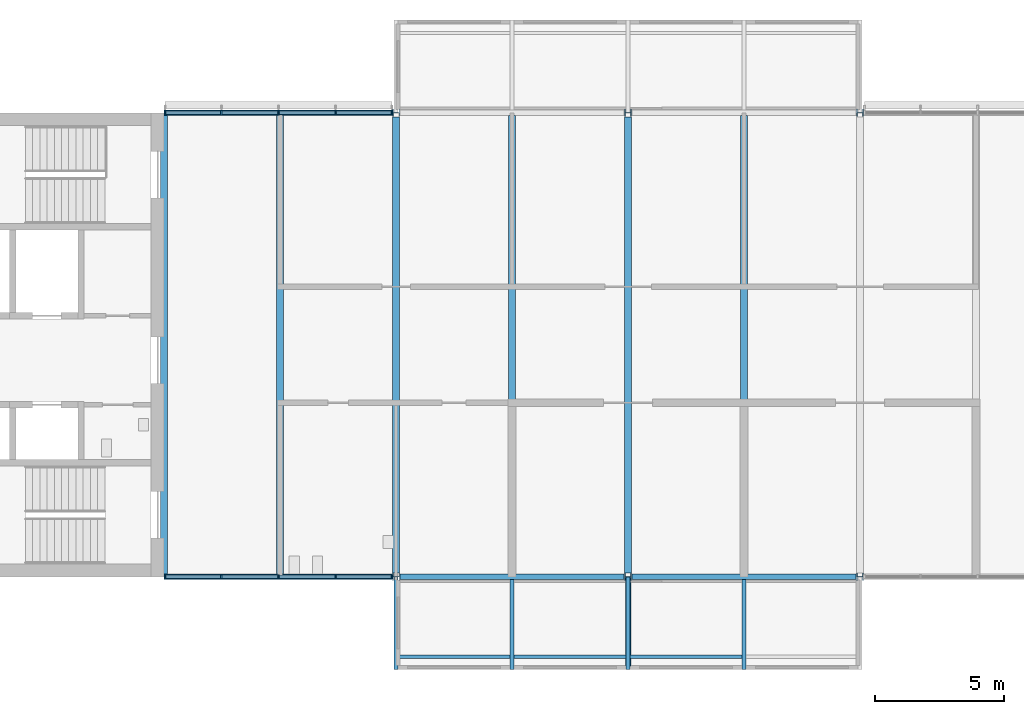
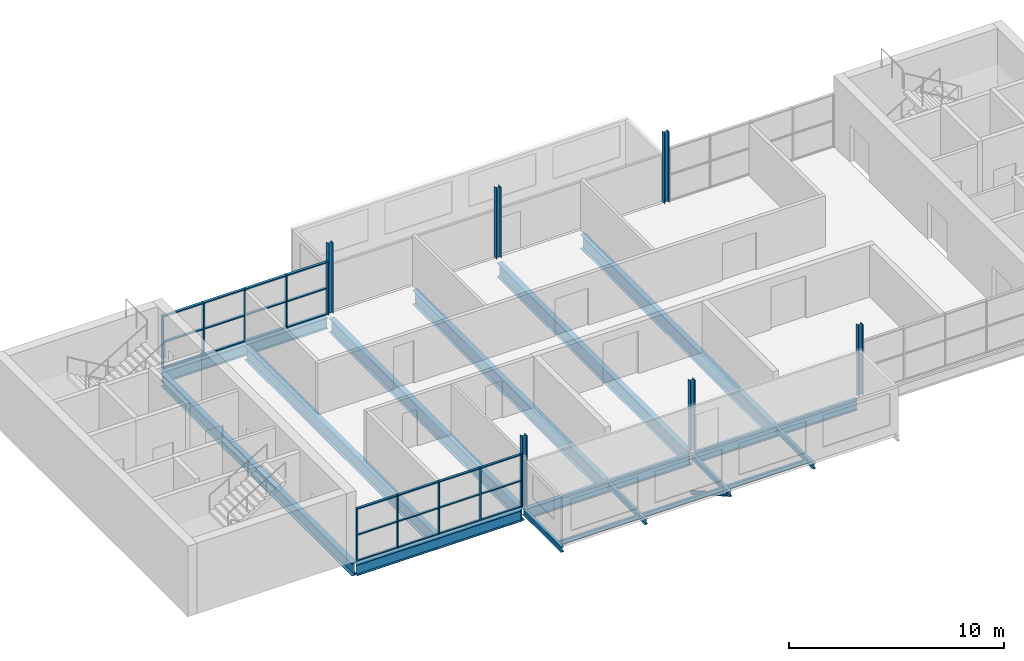
# One storey, part 1 of 10: 35 members, 17 beams, 6 columns, 2 elements without a shape of their own.
"""IFC4 building model written with IfcOpenShell, lengths in metres."""

from ifc_helpers import new_model, si_unit, direction, frame, origin, origin_2d, place, context, subcontext, project, spatial, rectangle, hollow_circle, i_section, extrude, material, layer, layer_set, material_profile, profile_set, type_object, element, aggregate, save


model = new_model("IFC4")

# Units and contexts
model_context = context("Model", 3, precision=1e-05, world=origin(), true_north=direction((0.0, 1.0)))
body_context = subcontext(model_context, "Body", "Model", "MODEL_VIEW")
ifc_project = project(units=[si_unit("LENGTHUNIT", "METRE"), si_unit("AREAUNIT", "SQUARE_METRE"), si_unit("VOLUMEUNIT", "CUBIC_METRE"), si_unit("PLANEANGLEUNIT", "RADIAN"), si_unit("MASSUNIT", "GRAM", prefix="KILO")], contexts=[model_context])

# Site, building, storey
site_placement = place(None, origin())
site = spatial("IfcSite", under=ifc_project, at=site_placement, CompositionType="ELEMENT")
building_placement = place(site_placement, origin())
building = spatial("IfcBuilding", under=site, at=building_placement, Name="Corbel Yard City Hall", CompositionType="ELEMENT")
storey_placement = place(building_placement, frame((0.0, 0.0, 67.199951171875)))
storey = spatial("IfcBuildingStorey", under=building, at=storey_placement, Name="L16", CompositionType="ELEMENT", Elevation=67.199951171875)

# Columns
ifc_material_1 = material(Name="Steel Grade 300 (300 MPa yield)", Category="steel")
ifc_material_profile_1 = material_profile(ifc_material_1, i_section(OverallWidth=0.256103515625, OverallDepth=0.260009765625, WebThickness=0.010498046875, FlangeThickness=0.017333984375, at=origin_2d()), Name="250UC89.5")
ifc_profile_set_1 = profile_set([ifc_material_profile_1], Name="Steel Grade 300 (300 MPa yield)")
column_type = type_object("IfcColumnType", Name="Column 250UC89.5", PredefinedType="COLUMN", material=ifc_profile_set_1)
for number, where, z_axis, x_axis, name in (
    (1, (18.0, 99.0, 0.0), (0.0, 0.0, 1.0), (0.0, 1.0, 0.0), "Column 250UC89.5 L/3 L16"),
    (2, (18.0, 117.0, 0.0), (0.0, 0.0, 1.0), (0.0, 1.0, 0.0), "Column 250UC89.5 N/3 L16"),
    (3, (27.0, 99.0, 0.0), (0.0, 0.0, 1.0), (0.0, 1.0, 0.0), "Column 250UC89.5 L/4 L16"),
    (4, (27.0, 117.0, 0.0), (0.0, 0.0, 1.0), (0.0, 1.0, 0.0), "Column 250UC89.5 N/4 L16"),
    (5, (36.0, 99.0, 0.0), (0.0, 0.0, 1.0), (0.0, 1.0, 0.0), "Column 250UC89.5 L/5 L16"),
    (6, (36.0, 117.0, 0.0), (0.0, 0.0, 1.0), (0.0, 1.0, 0.0), "Column 250UC89.5 N/5 L16"),
):
    element("IfcColumn", number, at=place(storey_placement, frame(where, z_axis=z_axis, x_axis=x_axis)), inside=storey, type_object=column_type, Name=name, PredefinedType="COLUMN", context=body_context, shape_type="SweptSolid", body=[
        extrude(i_section(OverallWidth=0.256103515625, OverallDepth=0.260009765625, WebThickness=0.010498046875, FlangeThickness=0.017333984375, at=origin_2d()), origin(), (0.0, 0.0, 1.0), 4.0),
    ])

# Beams
ifc_material_profile_2 = material_profile(ifc_material_1, i_section(OverallWidth=0.22900390625, OverallDepth=0.612060546875, WebThickness=0.011962890625, FlangeThickness=0.01953125, at=origin_2d()), Name="610UB125")
ifc_profile_set_2 = profile_set([ifc_material_profile_2], Name="Steel Grade 300 (300 MPa yield)")
beam_type_1 = type_object("IfcBeamType", Name="Edge beam 610UB125", PredefinedType="BEAM", material=ifc_profile_set_2)
beam_1_placement = place(storey_placement, frame((9.0, 99.0, -0.4560546875), z_axis=(1.0, 0.0, 0.0), x_axis=(0.0, 1.0, 0.0)))
element("IfcBeam", 7, at=beam_1_placement, inside=storey, type_object=beam_type_1, Name="Edge beam 610UB125 EB7 L16tower", PredefinedType="BEAM", context=body_context, shape_type="SweptSolid", body=[
    extrude(i_section(OverallWidth=0.22900390625, OverallDepth=0.612060546875, WebThickness=0.011962890625, FlangeThickness=0.01953125, at=origin_2d()), origin(), (0.0, 0.0, 1.0), 8.842529296875),
])
for number, where, z_axis, x_axis, name in (
    (8, (18.157470703125, 99.0, -0.4560546875), (1.0, 0.0, 0.0), (0.0, 1.0, 0.0), "Edge beam 610UB125 EB7 L16tower"),
    (9, (27.157470703125, 99.0, -0.4560546875), (1.0, 0.0, 0.0), (0.0, 1.0, 0.0), "Edge beam 610UB125 EB7 L16tower"),
):
    element("IfcBeam", number, at=place(storey_placement, frame(where, z_axis=z_axis, x_axis=x_axis)), inside=storey, type_object=beam_type_1, Name=name, PredefinedType="BEAM", context=body_context, shape_type="SweptSolid", body=[
        extrude(i_section(OverallWidth=0.22900390625, OverallDepth=0.612060546875, WebThickness=0.011962890625, FlangeThickness=0.01953125, at=origin_2d()), origin(), (0.0, 0.0, 1.0), 8.68505859375),
    ])
beam_2_placement = place(storey_placement, frame((9.0, 117.0, -0.4560546875), z_axis=(1.0, 0.0, 0.0), x_axis=(0.0, 1.0, 0.0)))
element("IfcBeam", 10, at=beam_2_placement, inside=storey, type_object=beam_type_1, Name="Edge beam 610UB125 EB7 L16tower", PredefinedType="BEAM", context=body_context, shape_type="SweptSolid", body=[
    extrude(i_section(OverallWidth=0.22900390625, OverallDepth=0.612060546875, WebThickness=0.011962890625, FlangeThickness=0.01953125, at=origin_2d()), origin(), (0.0, 0.0, 1.0), 8.842529296875),
])
ifc_material_2 = material(Name="Steel Grade 350", Category="steel")
ifc_material_profile_3 = material_profile(ifc_material_2, i_section(OverallWidth=0.27490234375, OverallDepth=0.800048828125, WebThickness=0.010009765625, FlangeThickness=0.02001953125, at=origin_2d()), Name="800WB146")
ifc_profile_set_3 = profile_set([ifc_material_profile_3], Name="Steel Grade 350")
beam_type_2 = type_object("IfcBeamType", Name="Long-span beam 800WB146", PredefinedType="BEAM", material=ifc_profile_set_3)
for number, where, z_axis, x_axis, name in (
    (11, (18.0, 99.153564453125, -0.550048828125), (0.0, 1.0, 0.0), (-1.0, 0.0, 0.0), "Long-span beam 800WB146 SB8 L16tower"),
    (12, (27.0, 99.153564453125, -0.550048828125), (0.0, 1.0, 0.0), (-1.0, 0.0, 0.0), "Long-span beam 800WB146 SB8 L16tower"),
):
    element("IfcBeam", number, at=place(storey_placement, frame(where, z_axis=z_axis, x_axis=x_axis)), inside=storey, type_object=beam_type_2, Name=name, PredefinedType="BEAM", context=body_context, shape_type="SweptSolid", body=[
        extrude(i_section(OverallWidth=0.27490234375, OverallDepth=0.800048828125, WebThickness=0.010009765625, FlangeThickness=0.02001953125, at=origin_2d()), origin(), (0.0, 0.0, 1.0), 17.69287109375),
    ])
ifc_material_profile_4 = material_profile(ifc_material_2, i_section(OverallWidth=0.27490234375, OverallDepth=0.716064453125, WebThickness=0.010009765625, FlangeThickness=0.028076171875, at=origin_2d()), Name="700WB173")
ifc_profile_set_4 = profile_set([ifc_material_profile_4], Name="Steel Grade 350")
beam_type_3 = type_object("IfcBeamType", Name="Long-span edge beam 700WB173", PredefinedType="BEAM", material=ifc_profile_set_4)
beam_3_placement = place(storey_placement, frame((9.0, 99.114501953125, -0.508056640625), z_axis=(0.0, 1.0, 0.0), x_axis=(-1.0, 0.0, 0.0)))
element("IfcBeam", 13, at=beam_3_placement, inside=storey, type_object=beam_type_3, Name="Long-span edge beam 700WB173 EB10 L16tower", PredefinedType="BEAM", context=body_context, shape_type="SweptSolid", body=[
    extrude(i_section(OverallWidth=0.27490234375, OverallDepth=0.716064453125, WebThickness=0.010009765625, FlangeThickness=0.028076171875, at=origin_2d()), origin(), (0.0, 0.0, 1.0), 17.77099609375),
])
ifc_material_profile_5 = material_profile(ifc_material_2, i_section(OverallWidth=0.27490234375, OverallDepth=0.800048828125, WebThickness=0.010009765625, FlangeThickness=0.02001953125, at=origin_2d()), Name="800WB146")
ifc_profile_set_5 = profile_set([ifc_material_profile_5], Name="Steel Grade 350")
beam_type_4 = type_object("IfcBeamType", Name="Long-span secondary beam 800WB146", PredefinedType="JOIST", material=ifc_profile_set_5)
for number, where, z_axis, x_axis, name in (
    (14, (13.5, 99.114501953125, -0.550048828125), (0.0, 1.0, 0.0), (-1.0, 0.0, 0.0), "Long-span secondary beam 800WB146 SB7 L16tower"),
    (15, (22.5, 99.114501953125, -0.550048828125), (0.0, 1.0, 0.0), (-1.0, 0.0, 0.0), "Long-span secondary beam 800WB146 SB7 L16tower"),
    (16, (31.5, 99.114501953125, -0.550048828125), (0.0, 1.0, 0.0), (-1.0, 0.0, 0.0), "Long-span secondary beam 800WB146 SB7 L16tower"),
):
    element("IfcBeam", number, at=place(storey_placement, frame(where, z_axis=z_axis, x_axis=x_axis)), inside=storey, type_object=beam_type_4, Name=name, PredefinedType="JOIST", context=body_context, shape_type="SweptSolid", body=[
        extrude(i_section(OverallWidth=0.27490234375, OverallDepth=0.800048828125, WebThickness=0.010009765625, FlangeThickness=0.02001953125, at=origin_2d()), origin(), (0.0, 0.0, 1.0), 17.77099609375),
    ])

# Curtain wall, members
ifc_material_3 = material(Name="Aluminium extrusion", Category="aluminium")
ifc_layer_1 = layer(ifc_material_3, 0.14990234375)
ifc_layer_set_1 = layer_set([ifc_layer_1], Name="Aluminium extrusion")
curtain_wall_type_1 = type_object("IfcCurtainWallType", Name="CW2", PredefinedType="USERDEFINED", material=ifc_layer_set_1)
curtain_wall_1_placement = place(storey_placement, origin())
curtain_wall_1 = element("IfcCurtainWall", 17, at=curtain_wall_1_placement, inside=storey, type_object=curtain_wall_type_1, Name="Curtain wall CW2 L16", ObjectType="CURTAIN WALL", PredefinedType="USERDEFINED")
ifc_material_profile_6 = material_profile(ifc_material_3, rectangle(XDim=0.14990234375, YDim=0.06494140625, at=origin_2d()), Name="150x65")
ifc_profile_set_6 = profile_set([ifc_material_profile_6], Name="Aluminium extrusion")
member_type_1 = type_object("IfcMemberType", Name="ML2", PredefinedType="MULLION", material=ifc_profile_set_6)
member_1_placement = place(storey_placement, frame((9.032470703125, 99.0, 0.0), z_axis=(0.0, 0.0, 1.0), x_axis=(0.0, 1.0, 0.0)))
member_1 = element("IfcMember", 18, at=member_1_placement, type_object=member_type_1, Name="CW2 mullion 1", PredefinedType="MULLION", context=body_context, shape_type="SweptSolid", body=[
    extrude(rectangle(XDim=0.14990234375, YDim=0.06494140625, at=origin_2d()), origin(), (0.0, 0.0, 1.0), 3.0),
])
member_2_placement = place(storey_placement, frame((11.217529296875, 99.0, 0.0), z_axis=(0.0, 0.0, 1.0), x_axis=(0.0, 1.0, 0.0)))
member_2 = element("IfcMember", 19, at=member_2_placement, type_object=member_type_1, Name="CW2 mullion 2", PredefinedType="MULLION", context=body_context, shape_type="SweptSolid", body=[
    extrude(rectangle(XDim=0.14990234375, YDim=0.06494140625, at=origin_2d()), origin(), (0.0, 0.0, 1.0), 3.0),
])
member_3_placement = place(storey_placement, frame((13.43505859375, 99.0, 0.0), z_axis=(0.0, 0.0, 1.0), x_axis=(0.0, 1.0, 0.0)))
member_3 = element("IfcMember", 20, at=member_3_placement, type_object=member_type_1, Name="CW2 mullion 3", PredefinedType="MULLION", context=body_context, shape_type="SweptSolid", body=[
    extrude(rectangle(XDim=0.14990234375, YDim=0.06494140625, at=origin_2d()), origin(), (0.0, 0.0, 1.0), 3.0),
])
member_4_placement = place(storey_placement, frame((15.652587890625, 99.0, 0.0), z_axis=(0.0, 0.0, 1.0), x_axis=(0.0, 1.0, 0.0)))
member_4 = element("IfcMember", 21, at=member_4_placement, type_object=member_type_1, Name="CW2 mullion 4", PredefinedType="MULLION", context=body_context, shape_type="SweptSolid", body=[
    extrude(rectangle(XDim=0.14990234375, YDim=0.06494140625, at=origin_2d()), origin(), (0.0, 0.0, 1.0), 3.0),
])
member_5_placement = place(storey_placement, frame((17.83740234375, 99.0, 0.0), z_axis=(0.0, 0.0, 1.0), x_axis=(0.0, 1.0, 0.0)))
member_5 = element("IfcMember", 22, at=member_5_placement, type_object=member_type_1, Name="CW2 mullion 5", PredefinedType="MULLION", context=body_context, shape_type="SweptSolid", body=[
    extrude(rectangle(XDim=0.14990234375, YDim=0.06494140625, at=origin_2d()), origin(), (0.0, 0.0, 1.0), 3.0),
])

ifc_layer_2 = layer(ifc_material_3, 0.179931640625)
ifc_layer_set_2 = layer_set([ifc_layer_2], Name="Aluminium extrusion")
curtain_wall_type_2 = type_object("IfcCurtainWallType", Name="CW6", PredefinedType="USERDEFINED", material=ifc_layer_set_2)
curtain_wall_2_placement = place(storey_placement, origin())
curtain_wall_2 = element("IfcCurtainWall", 23, at=curtain_wall_2_placement, inside=storey, type_object=curtain_wall_type_2, Name="Curtain wall CW6 L16", ObjectType="CURTAIN WALL", PredefinedType="USERDEFINED")
ifc_material_profile_7 = material_profile(ifc_material_3, rectangle(XDim=0.179931640625, YDim=0.06494140625, at=origin_2d()), Name="180x65")
ifc_profile_set_7 = profile_set([ifc_material_profile_7], Name="Aluminium extrusion")
member_type_2 = type_object("IfcMemberType", Name="ML6", PredefinedType="MULLION", material=ifc_profile_set_7)
member_6_placement = place(storey_placement, frame((9.032470703125, 117.0, 0.0), z_axis=(0.0, 0.0, 1.0), x_axis=(0.0, 1.0, 0.0)))
member_6 = element("IfcMember", 24, at=member_6_placement, type_object=member_type_2, Name="CW6 mullion 1", PredefinedType="MULLION", context=body_context, shape_type="SweptSolid", body=[
    extrude(rectangle(XDim=0.179931640625, YDim=0.06494140625, at=origin_2d()), origin(), (0.0, 0.0, 1.0), 3.0),
])
member_7_placement = place(storey_placement, frame((11.217529296875, 117.0, 0.0), z_axis=(0.0, 0.0, 1.0), x_axis=(0.0, 1.0, 0.0)))
member_7 = element("IfcMember", 25, at=member_7_placement, type_object=member_type_2, Name="CW6 mullion 2", PredefinedType="MULLION", context=body_context, shape_type="SweptSolid", body=[
    extrude(rectangle(XDim=0.179931640625, YDim=0.06494140625, at=origin_2d()), origin(), (0.0, 0.0, 1.0), 3.0),
])
member_8_placement = place(storey_placement, frame((13.43505859375, 117.0, 0.0), z_axis=(0.0, 0.0, 1.0), x_axis=(0.0, 1.0, 0.0)))
member_8 = element("IfcMember", 26, at=member_8_placement, type_object=member_type_2, Name="CW6 mullion 3", PredefinedType="MULLION", context=body_context, shape_type="SweptSolid", body=[
    extrude(rectangle(XDim=0.179931640625, YDim=0.06494140625, at=origin_2d()), origin(), (0.0, 0.0, 1.0), 3.0),
])
member_9_placement = place(storey_placement, frame((15.652587890625, 117.0, 0.0), z_axis=(0.0, 0.0, 1.0), x_axis=(0.0, 1.0, 0.0)))
member_9 = element("IfcMember", 27, at=member_9_placement, type_object=member_type_2, Name="CW6 mullion 4", PredefinedType="MULLION", context=body_context, shape_type="SweptSolid", body=[
    extrude(rectangle(XDim=0.179931640625, YDim=0.06494140625, at=origin_2d()), origin(), (0.0, 0.0, 1.0), 3.0),
])
member_10_placement = place(storey_placement, frame((17.83740234375, 117.0, 0.0), z_axis=(0.0, 0.0, 1.0), x_axis=(0.0, 1.0, 0.0)))
member_10 = element("IfcMember", 28, at=member_10_placement, type_object=member_type_2, Name="CW6 mullion 5", PredefinedType="MULLION", context=body_context, shape_type="SweptSolid", body=[
    extrude(rectangle(XDim=0.179931640625, YDim=0.06494140625, at=origin_2d()), origin(), (0.0, 0.0, 1.0), 3.0),
])

# Member
ifc_material_4 = material(Name="Steel Grade C350L0", Category="steel")
ifc_material_profile_8 = material_profile(ifc_material_4, hollow_circle(Radius=0.109619140625, WallThickness=0.00830078125, at=origin_2d()), Name="219.1x8.2CHS")
ifc_profile_set_8 = profile_set([ifc_material_profile_8], Name="Steel Grade C350L0")
member_type_3 = type_object("IfcMemberType", Name="Pod knee brace", PredefinedType="BRACE", material=ifc_profile_set_8)
member_11_placement = place(storey_placement, frame((27.0, 95.56005859375, -0.4169921875), z_axis=(0.0, 0.866504313533, -0.499169585039), x_axis=(-1.0, 0.0, 0.0)))
element("IfcMember", 29, at=member_11_placement, inside=storey, type_object=member_type_3, Name="Pod knee brace", PredefinedType="BRACE", context=body_context, shape_type="SweptSolid", body=[
    extrude(hollow_circle(Radius=0.109619140625, WallThickness=0.00830078125, at=origin_2d()), origin(), (0.0, 0.0, 1.0), 3.900146484375),
])

# Beams
ifc_material_profile_9 = material_profile(ifc_material_1, i_section(OverallWidth=0.166015625, OverallDepth=0.306884765625, WebThickness=0.006591796875, FlangeThickness=0.01171875, at=origin_2d()), Name="310UB46.2")
ifc_profile_set_9 = profile_set([ifc_material_profile_9], Name="Steel Grade 300 (300 MPa yield)")
beam_type_5 = type_object("IfcBeamType", Name="Pod stub beam 310UB46.2", PredefinedType="BEAM", material=ifc_profile_set_9)
beam_4_placement = place(storey_placement, frame((18.0, 95.39990234375, -0.303466796875), z_axis=(0.0, 1.0, 0.0), x_axis=(-1.0, 0.0, 0.0)))
element("IfcBeam", 30, at=beam_4_placement, inside=storey, type_object=beam_type_5, Name="Pod stub 310UB46.2 CB1 L16", PredefinedType="BEAM", context=body_context, shape_type="SweptSolid", body=[
    extrude(i_section(OverallWidth=0.166015625, OverallDepth=0.306884765625, WebThickness=0.006591796875, FlangeThickness=0.01171875, at=origin_2d()), origin(), (0.0, 0.0, 1.0), 3.5947265625),
])
beam_5_placement = place(storey_placement, frame((22.5, 95.39990234375, -0.303466796875), z_axis=(0.0, 1.0, 0.0), x_axis=(-1.0, 0.0, 0.0)))
element("IfcBeam", 31, at=beam_5_placement, inside=storey, type_object=beam_type_5, Name="Pod stub 310UB46.2 CB1 L16", PredefinedType="BEAM", context=body_context, shape_type="SweptSolid", body=[
    extrude(i_section(OverallWidth=0.166015625, OverallDepth=0.306884765625, WebThickness=0.006591796875, FlangeThickness=0.01171875, at=origin_2d()), origin(), (0.0, 0.0, 1.0), 3.485595703125),
])
beam_6_placement = place(storey_placement, frame((27.0, 95.39990234375, -0.303466796875), z_axis=(0.0, 1.0, 0.0), x_axis=(-1.0, 0.0, 0.0)))
element("IfcBeam", 32, at=beam_6_placement, inside=storey, type_object=beam_type_5, Name="Pod stub 310UB46.2 CB1 L16", PredefinedType="BEAM", context=body_context, shape_type="SweptSolid", body=[
    extrude(i_section(OverallWidth=0.166015625, OverallDepth=0.306884765625, WebThickness=0.006591796875, FlangeThickness=0.01171875, at=origin_2d()), origin(), (0.0, 0.0, 1.0), 3.5947265625),
])
beam_7_placement = place(storey_placement, frame((31.5, 95.39990234375, -0.303466796875), z_axis=(0.0, 1.0, 0.0), x_axis=(-1.0, 0.0, 0.0)))
element("IfcBeam", 33, at=beam_7_placement, inside=storey, type_object=beam_type_5, Name="Pod stub 310UB46.2 CB1 L16", PredefinedType="BEAM", context=body_context, shape_type="SweptSolid", body=[
    extrude(i_section(OverallWidth=0.166015625, OverallDepth=0.306884765625, WebThickness=0.006591796875, FlangeThickness=0.01171875, at=origin_2d()), origin(), (0.0, 0.0, 1.0), 3.485595703125),
])
ifc_material_profile_10 = material_profile(ifc_material_1, i_section(OverallWidth=0.1240234375, OverallDepth=0.248046875, WebThickness=0.0048828125, FlangeThickness=0.008056640625, at=origin_2d()), Name="250UB25.7")
ifc_profile_set_10 = profile_set([ifc_material_profile_10], Name="Steel Grade 300 (300 MPa yield)")
beam_type_6 = type_object("IfcBeamType", Name="Pod tip beam", PredefinedType="BEAM", material=ifc_profile_set_10)
for number, where, z_axis, x_axis, name in (
    (34, (18.0830078125, 95.89990234375, -0.27392578125), (1.0, 0.0, 0.0), (0.0, 1.0, 0.0), "Pod tip beam"),
    (35, (22.5830078125, 95.89990234375, -0.27392578125), (1.0, 0.0, 0.0), (0.0, 1.0, 0.0), "Pod tip beam"),
    (36, (27.0830078125, 95.89990234375, -0.27392578125), (1.0, 0.0, 0.0), (0.0, 1.0, 0.0), "Pod tip beam"),
):
    element("IfcBeam", number, at=place(storey_placement, frame(where, z_axis=z_axis, x_axis=x_axis)), inside=storey, type_object=beam_type_6, Name=name, PredefinedType="BEAM", context=body_context, shape_type="SweptSolid", body=[
        extrude(i_section(OverallWidth=0.1240234375, OverallDepth=0.248046875, WebThickness=0.0048828125, FlangeThickness=0.008056640625, at=origin_2d()), origin(), (0.0, 0.0, 1.0), 4.333984375),
    ])

# Member
ifc_material_profile_11 = material_profile(ifc_material_3, rectangle(XDim=0.1201171875, YDim=0.06494140625, at=origin_2d()), Name="120x65")
ifc_profile_set_11 = profile_set([ifc_material_profile_11], Name="Aluminium extrusion")
member_type_4 = type_object("IfcMemberType", Name="TR2", PredefinedType="USERDEFINED", material=ifc_profile_set_11)
member_12_placement = place(storey_placement, frame((9.06494140625, 99.0, 0.032470703125), z_axis=(1.0, 0.0, 0.0), x_axis=(0.0, 1.0, 0.0)))
member_12 = element("IfcMember", 37, at=member_12_placement, type_object=member_type_4, Name="CW2 transom 1.1", ObjectType="TRANSOM", PredefinedType="USERDEFINED", context=body_context, shape_type="SweptSolid", body=[
    extrude(rectangle(XDim=0.1201171875, YDim=0.06494140625, at=origin_2d()), origin(), (0.0, 0.0, 1.0), 2.1201171875),
])

member_13_placement = place(storey_placement, frame((9.06494140625, 99.0, 1.5), z_axis=(1.0, 0.0, 0.0), x_axis=(0.0, 1.0, 0.0)))
member_13 = element("IfcMember", 38, at=member_13_placement, type_object=member_type_4, Name="CW2 transom 1.2", ObjectType="TRANSOM", PredefinedType="USERDEFINED", context=body_context, shape_type="SweptSolid", body=[
    extrude(rectangle(XDim=0.1201171875, YDim=0.06494140625, at=origin_2d()), origin(), (0.0, 0.0, 1.0), 2.1201171875),
])

member_14_placement = place(storey_placement, frame((9.06494140625, 99.0, 2.967529296875), z_axis=(1.0, 0.0, 0.0), x_axis=(0.0, 1.0, 0.0)))
member_14 = element("IfcMember", 39, at=member_14_placement, type_object=member_type_4, Name="CW2 transom 1.3", ObjectType="TRANSOM", PredefinedType="USERDEFINED", context=body_context, shape_type="SweptSolid", body=[
    extrude(rectangle(XDim=0.1201171875, YDim=0.06494140625, at=origin_2d()), origin(), (0.0, 0.0, 1.0), 2.1201171875),
])

member_15_placement = place(storey_placement, frame((11.25, 99.0, 0.032470703125), z_axis=(1.0, 0.0, 0.0), x_axis=(0.0, 1.0, 0.0)))
member_15 = element("IfcMember", 40, at=member_15_placement, type_object=member_type_4, Name="CW2 transom 2.1", ObjectType="TRANSOM", PredefinedType="USERDEFINED", context=body_context, shape_type="SweptSolid", body=[
    extrude(rectangle(XDim=0.1201171875, YDim=0.06494140625, at=origin_2d()), origin(), (0.0, 0.0, 1.0), 2.152587890625),
])

member_16_placement = place(storey_placement, frame((11.25, 99.0, 1.5), z_axis=(1.0, 0.0, 0.0), x_axis=(0.0, 1.0, 0.0)))
member_16 = element("IfcMember", 41, at=member_16_placement, type_object=member_type_4, Name="CW2 transom 2.2", ObjectType="TRANSOM", PredefinedType="USERDEFINED", context=body_context, shape_type="SweptSolid", body=[
    extrude(rectangle(XDim=0.1201171875, YDim=0.06494140625, at=origin_2d()), origin(), (0.0, 0.0, 1.0), 2.152587890625),
])

member_17_placement = place(storey_placement, frame((11.25, 99.0, 2.967529296875), z_axis=(1.0, 0.0, 0.0), x_axis=(0.0, 1.0, 0.0)))
member_17 = element("IfcMember", 42, at=member_17_placement, type_object=member_type_4, Name="CW2 transom 2.3", ObjectType="TRANSOM", PredefinedType="USERDEFINED", context=body_context, shape_type="SweptSolid", body=[
    extrude(rectangle(XDim=0.1201171875, YDim=0.06494140625, at=origin_2d()), origin(), (0.0, 0.0, 1.0), 2.152587890625),
])

member_18_placement = place(storey_placement, frame((13.467529296875, 99.0, 0.032470703125), z_axis=(1.0, 0.0, 0.0), x_axis=(0.0, 1.0, 0.0)))
member_18 = element("IfcMember", 43, at=member_18_placement, type_object=member_type_4, Name="CW2 transom 3.1", ObjectType="TRANSOM", PredefinedType="USERDEFINED", context=body_context, shape_type="SweptSolid", body=[
    extrude(rectangle(XDim=0.1201171875, YDim=0.06494140625, at=origin_2d()), origin(), (0.0, 0.0, 1.0), 2.152587890625),
])

member_19_placement = place(storey_placement, frame((13.467529296875, 99.0, 1.5), z_axis=(1.0, 0.0, 0.0), x_axis=(0.0, 1.0, 0.0)))
member_19 = element("IfcMember", 44, at=member_19_placement, type_object=member_type_4, Name="CW2 transom 3.2", ObjectType="TRANSOM", PredefinedType="USERDEFINED", context=body_context, shape_type="SweptSolid", body=[
    extrude(rectangle(XDim=0.1201171875, YDim=0.06494140625, at=origin_2d()), origin(), (0.0, 0.0, 1.0), 2.152587890625),
])

member_20_placement = place(storey_placement, frame((13.467529296875, 99.0, 2.967529296875), z_axis=(1.0, 0.0, 0.0), x_axis=(0.0, 1.0, 0.0)))
member_20 = element("IfcMember", 45, at=member_20_placement, type_object=member_type_4, Name="CW2 transom 3.3", ObjectType="TRANSOM", PredefinedType="USERDEFINED", context=body_context, shape_type="SweptSolid", body=[
    extrude(rectangle(XDim=0.1201171875, YDim=0.06494140625, at=origin_2d()), origin(), (0.0, 0.0, 1.0), 2.152587890625),
])

member_21_placement = place(storey_placement, frame((15.68505859375, 99.0, 0.032470703125), z_axis=(1.0, 0.0, 0.0), x_axis=(0.0, 1.0, 0.0)))
member_21 = element("IfcMember", 46, at=member_21_placement, type_object=member_type_4, Name="CW2 transom 4.1", ObjectType="TRANSOM", PredefinedType="USERDEFINED", context=body_context, shape_type="SweptSolid", body=[
    extrude(rectangle(XDim=0.1201171875, YDim=0.06494140625, at=origin_2d()), origin(), (0.0, 0.0, 1.0), 2.119873046875),
])

member_22_placement = place(storey_placement, frame((15.68505859375, 99.0, 1.5), z_axis=(1.0, 0.0, 0.0), x_axis=(0.0, 1.0, 0.0)))
member_22 = element("IfcMember", 47, at=member_22_placement, type_object=member_type_4, Name="CW2 transom 4.2", ObjectType="TRANSOM", PredefinedType="USERDEFINED", context=body_context, shape_type="SweptSolid", body=[
    extrude(rectangle(XDim=0.1201171875, YDim=0.06494140625, at=origin_2d()), origin(), (0.0, 0.0, 1.0), 2.119873046875),
])

member_23_placement = place(storey_placement, frame((15.68505859375, 99.0, 2.967529296875), z_axis=(1.0, 0.0, 0.0), x_axis=(0.0, 1.0, 0.0)))
member_23 = element("IfcMember", 48, at=member_23_placement, type_object=member_type_4, Name="CW2 transom 4.3", ObjectType="TRANSOM", PredefinedType="USERDEFINED", context=body_context, shape_type="SweptSolid", body=[
    extrude(rectangle(XDim=0.1201171875, YDim=0.06494140625, at=origin_2d()), origin(), (0.0, 0.0, 1.0), 2.119873046875),
])

aggregate(curtain_wall_1, [member_1, member_2, member_3, member_4, member_5, member_12, member_13, member_14, member_15, member_16, member_17, member_18, member_19, member_20, member_21, member_22, member_23])

ifc_material_profile_12 = material_profile(ifc_material_3, rectangle(XDim=0.139892578125, YDim=0.06494140625, at=origin_2d()), Name="140x65")
ifc_profile_set_12 = profile_set([ifc_material_profile_12], Name="Aluminium extrusion")
member_type_5 = type_object("IfcMemberType", Name="TR6", PredefinedType="USERDEFINED", material=ifc_profile_set_12)
member_24_placement = place(storey_placement, frame((9.06494140625, 117.0, 0.032470703125), z_axis=(1.0, 0.0, 0.0), x_axis=(0.0, 1.0, 0.0)))
member_24 = element("IfcMember", 49, at=member_24_placement, type_object=member_type_5, Name="CW6 transom 1.1", ObjectType="TRANSOM", PredefinedType="USERDEFINED", context=body_context, shape_type="SweptSolid", body=[
    extrude(rectangle(XDim=0.139892578125, YDim=0.06494140625, at=origin_2d()), origin(), (0.0, 0.0, 1.0), 2.1201171875),
])

member_25_placement = place(storey_placement, frame((9.06494140625, 117.0, 1.5), z_axis=(1.0, 0.0, 0.0), x_axis=(0.0, 1.0, 0.0)))
member_25 = element("IfcMember", 50, at=member_25_placement, type_object=member_type_5, Name="CW6 transom 1.2", ObjectType="TRANSOM", PredefinedType="USERDEFINED", context=body_context, shape_type="SweptSolid", body=[
    extrude(rectangle(XDim=0.139892578125, YDim=0.06494140625, at=origin_2d()), origin(), (0.0, 0.0, 1.0), 2.1201171875),
])

member_26_placement = place(storey_placement, frame((9.06494140625, 117.0, 2.967529296875), z_axis=(1.0, 0.0, 0.0), x_axis=(0.0, 1.0, 0.0)))
member_26 = element("IfcMember", 51, at=member_26_placement, type_object=member_type_5, Name="CW6 transom 1.3", ObjectType="TRANSOM", PredefinedType="USERDEFINED", context=body_context, shape_type="SweptSolid", body=[
    extrude(rectangle(XDim=0.139892578125, YDim=0.06494140625, at=origin_2d()), origin(), (0.0, 0.0, 1.0), 2.1201171875),
])

member_27_placement = place(storey_placement, frame((11.25, 117.0, 0.032470703125), z_axis=(1.0, 0.0, 0.0), x_axis=(0.0, 1.0, 0.0)))
member_27 = element("IfcMember", 52, at=member_27_placement, type_object=member_type_5, Name="CW6 transom 2.1", ObjectType="TRANSOM", PredefinedType="USERDEFINED", context=body_context, shape_type="SweptSolid", body=[
    extrude(rectangle(XDim=0.139892578125, YDim=0.06494140625, at=origin_2d()), origin(), (0.0, 0.0, 1.0), 2.152587890625),
])

member_28_placement = place(storey_placement, frame((11.25, 117.0, 1.5), z_axis=(1.0, 0.0, 0.0), x_axis=(0.0, 1.0, 0.0)))
member_28 = element("IfcMember", 53, at=member_28_placement, type_object=member_type_5, Name="CW6 transom 2.2", ObjectType="TRANSOM", PredefinedType="USERDEFINED", context=body_context, shape_type="SweptSolid", body=[
    extrude(rectangle(XDim=0.139892578125, YDim=0.06494140625, at=origin_2d()), origin(), (0.0, 0.0, 1.0), 2.152587890625),
])

member_29_placement = place(storey_placement, frame((11.25, 117.0, 2.967529296875), z_axis=(1.0, 0.0, 0.0), x_axis=(0.0, 1.0, 0.0)))
member_29 = element("IfcMember", 54, at=member_29_placement, type_object=member_type_5, Name="CW6 transom 2.3", ObjectType="TRANSOM", PredefinedType="USERDEFINED", context=body_context, shape_type="SweptSolid", body=[
    extrude(rectangle(XDim=0.139892578125, YDim=0.06494140625, at=origin_2d()), origin(), (0.0, 0.0, 1.0), 2.152587890625),
])

member_30_placement = place(storey_placement, frame((13.467529296875, 117.0, 0.032470703125), z_axis=(1.0, 0.0, 0.0), x_axis=(0.0, 1.0, 0.0)))
member_30 = element("IfcMember", 55, at=member_30_placement, type_object=member_type_5, Name="CW6 transom 3.1", ObjectType="TRANSOM", PredefinedType="USERDEFINED", context=body_context, shape_type="SweptSolid", body=[
    extrude(rectangle(XDim=0.139892578125, YDim=0.06494140625, at=origin_2d()), origin(), (0.0, 0.0, 1.0), 2.152587890625),
])

member_31_placement = place(storey_placement, frame((13.467529296875, 117.0, 1.5), z_axis=(1.0, 0.0, 0.0), x_axis=(0.0, 1.0, 0.0)))
member_31 = element("IfcMember", 56, at=member_31_placement, type_object=member_type_5, Name="CW6 transom 3.2", ObjectType="TRANSOM", PredefinedType="USERDEFINED", context=body_context, shape_type="SweptSolid", body=[
    extrude(rectangle(XDim=0.139892578125, YDim=0.06494140625, at=origin_2d()), origin(), (0.0, 0.0, 1.0), 2.152587890625),
])

member_32_placement = place(storey_placement, frame((13.467529296875, 117.0, 2.967529296875), z_axis=(1.0, 0.0, 0.0), x_axis=(0.0, 1.0, 0.0)))
member_32 = element("IfcMember", 57, at=member_32_placement, type_object=member_type_5, Name="CW6 transom 3.3", ObjectType="TRANSOM", PredefinedType="USERDEFINED", context=body_context, shape_type="SweptSolid", body=[
    extrude(rectangle(XDim=0.139892578125, YDim=0.06494140625, at=origin_2d()), origin(), (0.0, 0.0, 1.0), 2.152587890625),
])

member_33_placement = place(storey_placement, frame((15.68505859375, 117.0, 0.032470703125), z_axis=(1.0, 0.0, 0.0), x_axis=(0.0, 1.0, 0.0)))
member_33 = element("IfcMember", 58, at=member_33_placement, type_object=member_type_5, Name="CW6 transom 4.1", ObjectType="TRANSOM", PredefinedType="USERDEFINED", context=body_context, shape_type="SweptSolid", body=[
    extrude(rectangle(XDim=0.139892578125, YDim=0.06494140625, at=origin_2d()), origin(), (0.0, 0.0, 1.0), 2.119873046875),
])

member_34_placement = place(storey_placement, frame((15.68505859375, 117.0, 1.5), z_axis=(1.0, 0.0, 0.0), x_axis=(0.0, 1.0, 0.0)))
member_34 = element("IfcMember", 59, at=member_34_placement, type_object=member_type_5, Name="CW6 transom 4.2", ObjectType="TRANSOM", PredefinedType="USERDEFINED", context=body_context, shape_type="SweptSolid", body=[
    extrude(rectangle(XDim=0.139892578125, YDim=0.06494140625, at=origin_2d()), origin(), (0.0, 0.0, 1.0), 2.119873046875),
])

member_35_placement = place(storey_placement, frame((15.68505859375, 117.0, 2.967529296875), z_axis=(1.0, 0.0, 0.0), x_axis=(0.0, 1.0, 0.0)))
member_35 = element("IfcMember", 60, at=member_35_placement, type_object=member_type_5, Name="CW6 transom 4.3", ObjectType="TRANSOM", PredefinedType="USERDEFINED", context=body_context, shape_type="SweptSolid", body=[
    extrude(rectangle(XDim=0.139892578125, YDim=0.06494140625, at=origin_2d()), origin(), (0.0, 0.0, 1.0), 2.119873046875),
])

aggregate(curtain_wall_2, [member_6, member_7, member_8, member_9, member_10, member_24, member_25, member_26, member_27, member_28, member_29, member_30, member_31, member_32, member_33, member_34, member_35])

save(model, "model.ifc")
